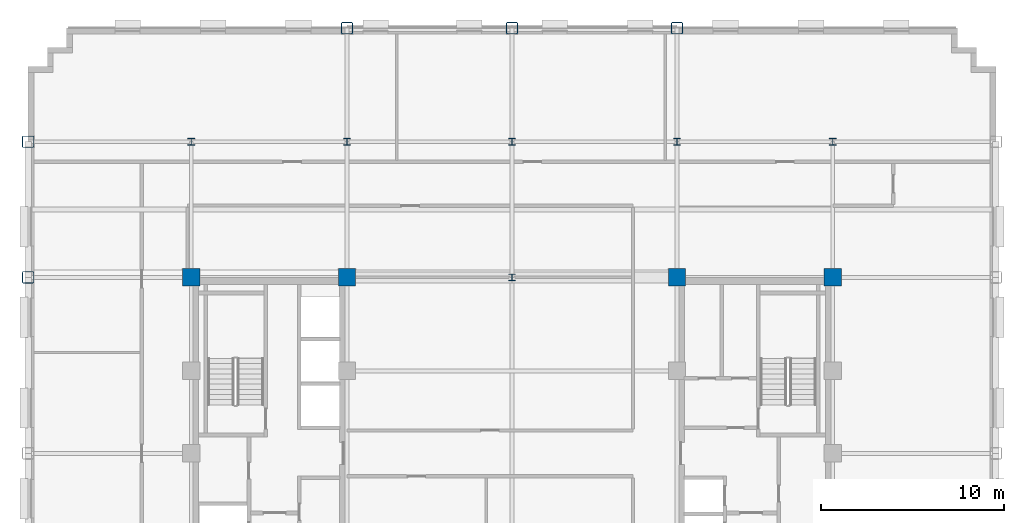
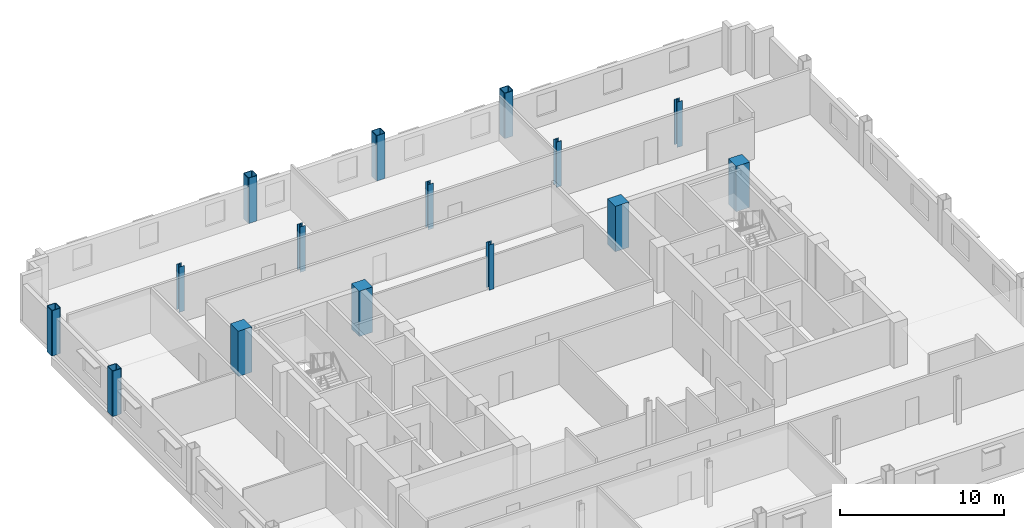
# One storey, part 3 of 13: 15 columns.
"""IFC4 building model written with IfcOpenShell, lengths in metres."""

from ifc_helpers import new_model, si_unit, direction, frame, origin, origin_2d, place, context, subcontext, project, spatial, rectangle, hollow_rectangle, i_section, extrude, material, material_profile, profile_set, type_object, element, save


model = new_model("IFC4")

# Units and contexts
model_context = context("Model", 3, precision=1e-05, world=origin(), true_north=direction((0.0, 1.0)))
body_context = subcontext(model_context, "Body", "Model", "MODEL_VIEW")
ifc_project = project(units=[si_unit("LENGTHUNIT", "METRE"), si_unit("AREAUNIT", "SQUARE_METRE"), si_unit("VOLUMEUNIT", "CUBIC_METRE"), si_unit("PLANEANGLEUNIT", "RADIAN"), si_unit("MASSUNIT", "GRAM", prefix="KILO")], contexts=[model_context])

# Site, building, storey
site_placement = place(None, origin())
site = spatial("IfcSite", under=ifc_project, at=site_placement, CompositionType="ELEMENT")
building_placement = place(site_placement, origin())
building = spatial("IfcBuilding", under=site, at=building_placement, Name="Nuvemarco Arch Tower", CompositionType="ELEMENT")
storey_placement = place(building_placement, frame((0.0, 0.0, 149.39990234375)))
storey = spatial("IfcBuildingStorey", under=building, at=storey_placement, Name="L39", CompositionType="ELEMENT", Elevation=149.39990234375)

# Columns
ifc_material_1 = material(Name="Concrete C50/60", Category="concrete")
ifc_material_profile_1 = material_profile(ifc_material_1, rectangle(XDim=0.949951171875, YDim=0.949951171875, at=origin_2d()), Name="RC-COL-950x950")
ifc_profile_set_1 = profile_set([ifc_material_profile_1], Name="Concrete C50/60")
column_type_1 = type_object("IfcColumnType", Name="COL-CORE-950", PredefinedType="COLUMN", material=ifc_profile_set_1)
for number, where, z_axis, x_axis, name in (
    (1, (-17.5, 9.60009765625, 0.0), (0.0, 0.0, 1.0), (1.0, 0.0, 0.0), "L39 column CC_-17.5_+9.6"),
    (2, (-9.0, 9.60009765625, 0.0), (0.0, 0.0, 1.0), (1.0, 0.0, 0.0), "L39 column CC_-9.0_+9.6"),
    (3, (9.0, 9.60009765625, 0.0), (0.0, 0.0, 1.0), (1.0, 0.0, 0.0), "L39 column CC_+9.0_+9.6"),
    (4, (17.5, 9.60009765625, 0.0), (0.0, 0.0, 1.0), (1.0, 0.0, 0.0), "L39 column CC_+17.5_+9.6"),
):
    element("IfcColumn", number, at=place(storey_placement, frame(where, z_axis=z_axis, x_axis=x_axis)), inside=storey, type_object=column_type_1, Name=name, PredefinedType="COLUMN", context=body_context, shape_type="SweptSolid", body=[
        extrude(rectangle(XDim=0.949951171875, YDim=0.949951171875, at=origin_2d()), origin(), (0.0, 0.0, 1.0), 3.3701171875),
    ])
ifc_material_2 = material(Name="Steel S355", Category="steel")
ifc_material_profile_2 = material_profile(ifc_material_2, hollow_rectangle(XDim=0.64990234375, YDim=0.64990234375, WallThickness=0.0400390625, InnerFilletRadius=0.0400390625, OuterFilletRadius=0.080078125, at=origin_2d()), Name="SHS650x650x40")
ifc_profile_set_2 = profile_set([ifc_material_profile_2], Name="Steel S355")
column_type_2 = type_object("IfcColumnType", Name="COL-EXO-650", PredefinedType="COLUMN", material=ifc_profile_set_2)
for number, where, z_axis, x_axis, name in (
    (5, (-26.39990234375, 9.60009765625, 0.0), (0.0, 0.0, 1.0), (1.0, 0.0, 0.0), "L39 column CX_-26.4_+9.6"),
    (6, (-26.39990234375, 17.0, 0.0), (0.0, 0.0, 1.0), (1.0, 0.0, 0.0), "L39 column CX_-26.4_+17.0"),
    (7, (-9.0, 23.199951171875, 0.0), (0.0, 0.0, 1.0), (1.0, 0.0, 0.0), "L39 column CY_-9.0_+23.2"),
    (8, (0.0, 23.199951171875, 0.0), (0.0, 0.0, 1.0), (1.0, 0.0, 0.0), "L39 column CY_+0.0_+23.2"),
    (9, (9.0, 23.199951171875, 0.0), (0.0, 0.0, 1.0), (1.0, 0.0, 0.0), "L39 column CY_+9.0_+23.2"),
):
    element("IfcColumn", number, at=place(storey_placement, frame(where, z_axis=z_axis, x_axis=x_axis)), inside=storey, type_object=column_type_2, Name=name, PredefinedType="COLUMN", context=body_context, shape_type="SweptSolid", body=[
        extrude(hollow_rectangle(XDim=0.64990234375, YDim=0.64990234375, WallThickness=0.0400390625, InnerFilletRadius=0.0400390625, OuterFilletRadius=0.080078125, at=origin_2d()), origin(), (0.0, 0.0, 1.0), 3.3701171875),
    ])
ifc_material_profile_3 = material_profile(ifc_material_2, i_section(OverallWidth=0.360107421875, OverallDepth=0.360107421875, WebThickness=0.0205078125, FlangeThickness=0.0205078125, FilletRadius=0.01806640625, at=origin_2d()), Name="HP360x174")
ifc_profile_set_3 = profile_set([ifc_material_profile_3], Name="Steel S355")
column_type_3 = type_object("IfcColumnType", Name="COL-STL-HP360", PredefinedType="COLUMN", material=ifc_profile_set_3)
for number, where, z_axis, x_axis, name in (
    (10, (0.0, 9.60009765625, 0.0), (0.0, 0.0, 1.0), (1.0, 0.0, 0.0), "L39 column CI_+0.0_+9.6"),
    (11, (0.0, 17.0, 0.0), (0.0, 0.0, 1.0), (1.0, 0.0, 0.0), "L39 column CI_+0.0_+17.0"),
    (12, (-17.5, 17.0, 0.0), (0.0, 0.0, 1.0), (1.0, 0.0, 0.0), "L39 column CI_-17.5_+17.0"),
    (13, (-9.0, 17.0, 0.0), (0.0, 0.0, 1.0), (1.0, 0.0, 0.0), "L39 column CI_-9.0_+17.0"),
    (14, (9.0, 17.0, 0.0), (0.0, 0.0, 1.0), (1.0, 0.0, 0.0), "L39 column CI_+9.0_+17.0"),
    (15, (17.5, 17.0, 0.0), (0.0, 0.0, 1.0), (1.0, 0.0, 0.0), "L39 column CI_+17.5_+17.0"),
):
    element("IfcColumn", number, at=place(storey_placement, frame(where, z_axis=z_axis, x_axis=x_axis)), inside=storey, type_object=column_type_3, Name=name, PredefinedType="COLUMN", context=body_context, shape_type="SweptSolid", body=[
        extrude(i_section(OverallWidth=0.360107421875, OverallDepth=0.360107421875, WebThickness=0.0205078125, FlangeThickness=0.0205078125, FilletRadius=0.01806640625, at=origin_2d()), origin(), (0.0, 0.0, 1.0), 3.3701171875),
    ])

save(model, "model.ifc")
